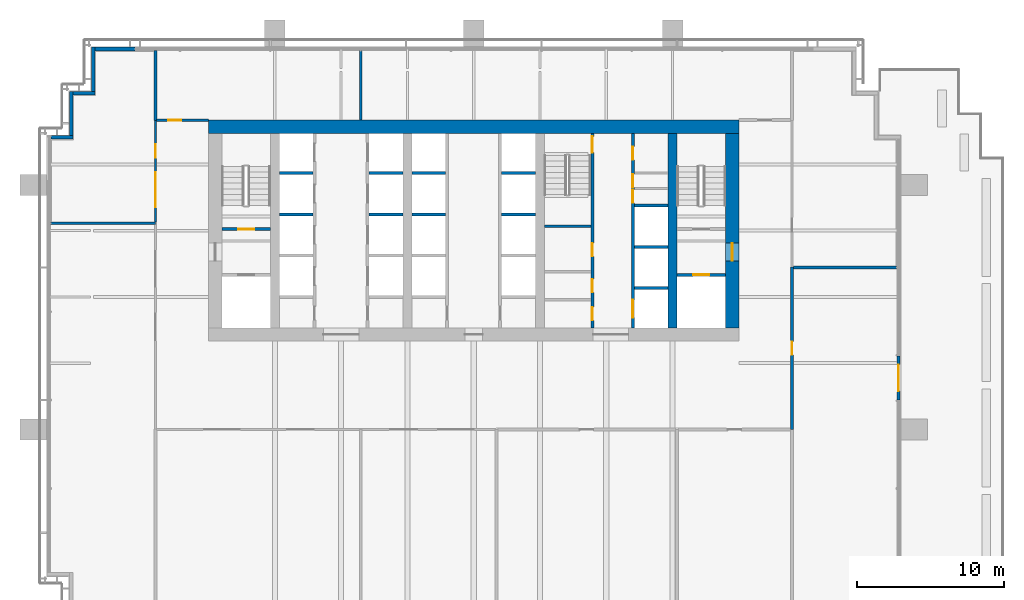
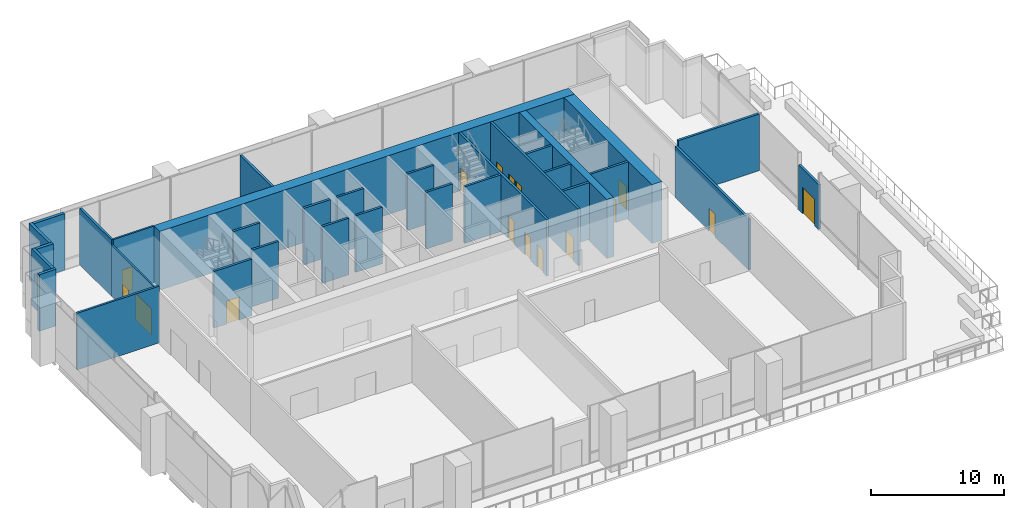
# One storey, part 9 of 14: 32 walls, 15 doors, 1 window, 16 openings.
"""IFC4 building model written with IfcOpenShell, lengths in metres."""

from ifc_helpers import new_model, si_unit, direction, frame, frame_2d, origin, place, context, subcontext, project, spatial, rectangle, extrude, material, layer, layer_set, type_object, element, fill, save


model = new_model("IFC4")

# Units and contexts
model_context = context("Model", 3, precision=1e-05, world=origin(), true_north=direction((0.0, 1.0)))
body_context = subcontext(model_context, "Body", "Model", "MODEL_VIEW")
ifc_project = project(units=[si_unit("LENGTHUNIT", "METRE"), si_unit("AREAUNIT", "SQUARE_METRE"), si_unit("VOLUMEUNIT", "CUBIC_METRE"), si_unit("PLANEANGLEUNIT", "RADIAN"), si_unit("MASSUNIT", "GRAM", prefix="KILO")], contexts=[model_context])

# Site, building, storey
site_placement = place(None, origin())
site = spatial("IfcSite", under=ifc_project, at=site_placement, CompositionType="ELEMENT")
building_placement = place(site_placement, origin())
building = spatial("IfcBuilding", under=site, at=building_placement, Name="Rattan Terrace Tower", CompositionType="ELEMENT")
storey_placement = place(building_placement, frame((0.0, 0.0, 120.699951171875)))
storey = spatial("IfcBuildingStorey", under=building, at=storey_placement, Name="L27", CompositionType="ELEMENT", Elevation=120.699951171875)

# Wall, opening, door
ifc_material_1 = material(Name="Gypsum board partition")
ifc_layer_1 = layer(ifc_material_1, 0.199951171875)
ifc_layer_set_1 = layer_set([ifc_layer_1], Name="Core partition 200")
wall_type_1 = type_object("IfcWallType", Name="Core partition 200", PredefinedType="PARTITIONING", material=ifc_layer_set_1)
wall_1_placement = place(storey_placement, frame((-17.10009765625, 0.10009765625, 0.0), z_axis=(0.0, 0.0, 1.0), x_axis=(1.0, 0.0, 0.0)))
wall_1 = element("IfcWall", 1, at=wall_1_placement, inside=storey, type_object=wall_type_1, Name="Stair enclosure wall", PredefinedType="PARTITIONING", context=body_context, shape_type="SweptSolid", body=[
    extrude(rectangle(XDim=3.300048828125, YDim=0.199951171875, at=frame_2d((1.64990234375, 0.0))), origin(), (0.0, 0.0, 1.0), 5.199951171875),
])
opening_1_placement = place(wall_1_placement, frame((1.10009765625, 0.0, 0.0)))
opening_1 = element("IfcOpeningElement", 2, at=opening_1_placement, cuts=wall_1, Name="Opening L27-D002", PredefinedType="OPENING", context=body_context, shape_type="SweptSolid", body=[
    extrude(rectangle(XDim=1.10009765625, YDim=2.10009765625, at=frame_2d((0.550048828125, 1.050048828125))), frame((0.0, 0.110595703125, 0.0), z_axis=(0.0, -1.0, 0.0), x_axis=(1.0, 0.0, 0.0)), (0.0, 0.0, 1.0), 0.220947265625),
])
ifc_material_2 = material(Name="Hollow-metal fire door leaf")
door_type_1 = type_object("IfcDoorType", Name="Core stair door 1100", OperationType="NOTDEFINED", PredefinedType="DOOR", material=ifc_material_2)
door_1_placement = place(opening_1_placement, origin())
door_1 = element("IfcDoor", 3, at=door_1_placement, inside=storey, type_object=door_type_1, Name="Door L27-D002", OperationType="SINGLE_SWING_RIGHT", OverallHeight=2.10009765625, OverallWidth=1.10009765625, PredefinedType="DOOR", context=body_context, shape_type="SweptSolid", body=[
    extrude(rectangle(XDim=1.10009765625, YDim=2.10009765625, at=frame_2d((0.550048828125, 1.050048828125))), frame((0.0, 0.02490234375, 0.0), z_axis=(0.0, -1.0, 0.0), x_axis=(1.0, 0.0, 0.0)), (0.0, 0.0, 1.0), 0.050048828125),
])
fill(opening_1, door_1)

wall_2_placement = place(storey_placement, frame((13.800048828125, -3.0, 0.0), z_axis=(0.0, 0.0, 1.0), x_axis=(1.0, 0.0, 0.0)))
wall_2 = element("IfcWall", 4, at=wall_2_placement, inside=storey, type_object=wall_type_1, Name="Fire-fighting lobby wall", PredefinedType="PARTITIONING", context=body_context, shape_type="SweptSolid", body=[
    extrude(rectangle(XDim=3.300048828125, YDim=0.199951171875, at=frame_2d((1.64990234375, 0.0))), origin(), (0.0, 0.0, 1.0), 5.199951171875),
])
opening_2_placement = place(wall_2_placement, frame((1.10009765625, 0.0, 0.0)))
opening_2 = element("IfcOpeningElement", 5, at=opening_2_placement, cuts=wall_2, Name="Opening L27-LD-FF2", PredefinedType="OPENING", context=body_context, shape_type="SweptSolid", body=[
    extrude(rectangle(XDim=1.10009765625, YDim=2.10009765625, at=frame_2d((0.550048828125, 1.050048828125))), frame((0.0, 0.110595703125, 0.0), z_axis=(0.0, -1.0, 0.0), x_axis=(1.0, 0.0, 0.0)), (0.0, 0.0, 1.0), 0.220947265625),
])
ifc_material_3 = material(Name="Brushed stainless landing door panel")
door_type_2 = type_object("IfcDoorType", Name="Core lift landing door 1100", OperationType="DOUBLE_DOOR_SLIDING", PredefinedType="DOOR", material=ifc_material_3)
door_2_placement = place(opening_2_placement, origin())
door_2 = element("IfcDoor", 6, at=door_2_placement, inside=storey, type_object=door_type_2, Name="Door L27-LD-FF2", OperationType="DOUBLE_DOOR_SLIDING", OverallHeight=2.10009765625, OverallWidth=1.10009765625, PredefinedType="DOOR", context=body_context, shape_type="SweptSolid", body=[
    extrude(rectangle(XDim=1.10009765625, YDim=2.10009765625, at=frame_2d((0.550048828125, 1.050048828125))), frame((0.0, 0.02490234375, 0.0), z_axis=(0.0, -1.0, 0.0), x_axis=(1.0, 0.0, 0.0)), (0.0, 0.0, 1.0), 0.050048828125),
])
fill(opening_2, door_2)

# Wall, openings, doors
wall_3_placement = place(storey_placement, frame((8.050048828125, -6.60009765625, 0.0), z_axis=(0.0, 0.0, 1.0), x_axis=(0.0, 1.0, 0.0)))
wall_3 = element("IfcWall", 7, at=wall_3_placement, inside=storey, type_object=wall_type_1, Name="Lobby wall west", PredefinedType="PARTITIONING", context=body_context, shape_type="SweptSolid", body=[
    extrude(rectangle(XDim=13.2001953125, YDim=0.199951171875, at=frame_2d((6.60009765625, 0.0))), origin(), (0.0, 0.0, 1.0), 5.199951171875),
])
opening_3_placement = place(wall_3_placement, frame((0.501953125, 0.0, 0.0)))
opening_3 = element("IfcOpeningElement", 8, at=opening_3_placement, cuts=wall_3, Name="Opening L27-D011", PredefinedType="OPENING", context=body_context, shape_type="SweptSolid", body=[
    extrude(rectangle(XDim=0.89990234375, YDim=2.10009765625, at=frame_2d((0.449951171875, 1.050048828125))), frame((0.0, 0.110595703125, 0.0), z_axis=(0.0, -1.0, 0.0), x_axis=(1.0, 0.0, 0.0)), (0.0, 0.0, 1.0), 0.220947265625),
])
opening_4_placement = place(wall_3_placement, frame((2.406005859375, 0.0, 0.0)))
opening_4 = element("IfcOpeningElement", 9, at=opening_4_placement, cuts=wall_3, Name="Opening L27-D012", PredefinedType="OPENING", context=body_context, shape_type="SweptSolid", body=[
    extrude(rectangle(XDim=0.89990234375, YDim=2.10009765625, at=frame_2d((0.449951171875, 1.050048828125))), frame((0.0, 0.110595703125, 0.0), z_axis=(0.0, -1.0, 0.0), x_axis=(1.0, 0.0, 0.0)), (0.0, 0.0, 1.0), 0.220947265625),
])
opening_5_placement = place(wall_3_placement, frame((4.85400390625, 0.0, 0.0)))
opening_5 = element("IfcOpeningElement", 10, at=opening_5_placement, cuts=wall_3, Name="Opening L27-D013", PredefinedType="OPENING", context=body_context, shape_type="SweptSolid", body=[
    extrude(rectangle(XDim=0.89990234375, YDim=2.10009765625, at=frame_2d((0.449951171875, 1.050048828125))), frame((0.0, 0.110595703125, 0.0), z_axis=(0.0, -1.0, 0.0), x_axis=(1.0, 0.0, 0.0)), (0.0, 0.0, 1.0), 0.220947265625),
])
opening_6_placement = place(wall_3_placement, frame((11.89990234375, 0.0, 0.0)))
opening_6 = element("IfcOpeningElement", 11, at=opening_6_placement, cuts=wall_3, Name="Opening L27-D014", PredefinedType="OPENING", context=body_context, shape_type="SweptSolid", body=[
    extrude(rectangle(XDim=1.10009765625, YDim=2.10009765625, at=frame_2d((0.550048828125, 1.050048828125))), frame((0.0, 0.110595703125, 0.0), z_axis=(0.0, -1.0, 0.0), x_axis=(1.0, 0.0, 0.0)), (0.0, 0.0, 1.0), 0.220947265625),
])
door_3_placement = place(opening_6_placement, origin())
door_3 = element("IfcDoor", 12, at=door_3_placement, inside=storey, type_object=door_type_1, Name="Door L27-D014", OperationType="SINGLE_SWING_LEFT", OverallHeight=2.10009765625, OverallWidth=1.10009765625, PredefinedType="DOOR", context=body_context, shape_type="SweptSolid", body=[
    extrude(rectangle(XDim=1.10009765625, YDim=2.10009765625, at=frame_2d((0.550048828125, 1.050048828125))), frame((0.0, 0.02490234375, 0.0), z_axis=(0.0, -1.0, 0.0), x_axis=(1.0, 0.0, 0.0)), (0.0, 0.0, 1.0), 0.050048828125),
])
fill(opening_6, door_3)
ifc_material_4 = material(Name="Hollow-metal fire door leaf")
door_type_3 = type_object("IfcDoorType", Name="Core toilet door 900", OperationType="NOTDEFINED", PredefinedType="DOOR", material=ifc_material_4)
door_4_placement = place(opening_3_placement, origin())
door_4 = element("IfcDoor", 13, at=door_4_placement, inside=storey, type_object=door_type_3, Name="Door L27-D011", OperationType="SINGLE_SWING_RIGHT", OverallHeight=2.10009765625, OverallWidth=0.89990234375, PredefinedType="DOOR", context=body_context, shape_type="SweptSolid", body=[
    extrude(rectangle(XDim=0.89990234375, YDim=2.10009765625, at=frame_2d((0.449951171875, 1.050048828125))), frame((0.0, 0.02490234375, 0.0), z_axis=(0.0, -1.0, 0.0), x_axis=(1.0, 0.0, 0.0)), (0.0, 0.0, 1.0), 0.050048828125),
])
fill(opening_3, door_4)
door_5_placement = place(opening_4_placement, origin())
door_5 = element("IfcDoor", 14, at=door_5_placement, inside=storey, type_object=door_type_3, Name="Door L27-D012", OperationType="SINGLE_SWING_LEFT", OverallHeight=2.10009765625, OverallWidth=0.89990234375, PredefinedType="DOOR", context=body_context, shape_type="SweptSolid", body=[
    extrude(rectangle(XDim=0.89990234375, YDim=2.10009765625, at=frame_2d((0.449951171875, 1.050048828125))), frame((0.0, 0.02490234375, 0.0), z_axis=(0.0, -1.0, 0.0), x_axis=(1.0, 0.0, 0.0)), (0.0, 0.0, 1.0), 0.050048828125),
])
fill(opening_4, door_5)
door_6_placement = place(opening_5_placement, origin())
door_6 = element("IfcDoor", 15, at=door_6_placement, inside=storey, type_object=door_type_3, Name="Door L27-D013", OperationType="SINGLE_SWING_RIGHT", OverallHeight=2.10009765625, OverallWidth=0.89990234375, PredefinedType="DOOR", context=body_context, shape_type="SweptSolid", body=[
    extrude(rectangle(XDim=0.89990234375, YDim=2.10009765625, at=frame_2d((0.449951171875, 1.050048828125))), frame((0.0, 0.02490234375, 0.0), z_axis=(0.0, -1.0, 0.0), x_axis=(1.0, 0.0, 0.0)), (0.0, 0.0, 1.0), 0.050048828125),
])
fill(opening_5, door_6)

# Walls
wall_4_placement = place(storey_placement, frame((4.800048828125, 0.300048828125, 0.0), z_axis=(0.0, 0.0, 1.0), x_axis=(1.0, 0.0, 0.0)))
element("IfcWall", 16, at=wall_4_placement, inside=storey, type_object=wall_type_1, Name="Stair enclosure wall", PredefinedType="PARTITIONING", context=body_context, shape_type="SweptSolid", body=[
    extrude(rectangle(XDim=3.14990234375, YDim=0.199951171875, at=frame_2d((1.574951171875, 0.0))), origin(), (0.0, 0.0, 1.0), 5.199951171875),
])
ifc_material_5 = material(Name="Concrete C60/75", Category="concrete")
ifc_layer_2 = layer(ifc_material_5, 0.89990234375)
ifc_layer_set_2 = layer_set([ifc_layer_2], Name="Core ring wall 900 C60/75")
wall_type_2 = type_object("IfcWallType", Name="Core ring wall 900 C60/75", PredefinedType="SHEAR", material=ifc_layer_set_2)
wall_5_placement = place(storey_placement, frame((-18.0, 7.050048828125, -0.199951171875), z_axis=(0.0, 0.0, 1.0), x_axis=(1.0, 0.0, 0.0)))
element("IfcWall", 17, at=wall_5_placement, inside=storey, type_object=wall_type_2, Name="Rear core wall north", PredefinedType="SHEAR", context=body_context, shape_type="SweptSolid", body=[
    extrude(rectangle(XDim=36.0, YDim=0.89990234375, at=frame_2d((18.0, 0.0))), origin(), (0.0, 0.0, 1.0), 5.39990234375),
])

# Wall, opening, door
wall_6_placement = place(storey_placement, frame((17.550048828125, -6.60009765625, -0.199951171875), z_axis=(0.0, 0.0, 1.0), x_axis=(0.0, 1.0, 0.0)))
wall_6 = element("IfcWall", 18, at=wall_6_placement, inside=storey, type_object=wall_type_2, Name="Rear core wall east", PredefinedType="SHEAR", context=body_context, shape_type="SweptSolid", body=[
    extrude(rectangle(XDim=13.2001953125, YDim=0.89990234375, at=frame_2d((6.60009765625, 0.0))), origin(), (0.0, 0.0, 1.0), 5.39990234375),
])
opening_7_placement = place(wall_6_placement, frame((4.550048828125, 0.0, 0.199951171875)))
opening_7 = element("IfcOpeningElement", 19, at=opening_7_placement, cuts=wall_6, Name="Opening L27-D003", PredefinedType="OPENING", context=body_context, shape_type="SweptSolid", body=[
    extrude(rectangle(XDim=1.199951171875, YDim=2.10009765625, at=frame_2d((0.60009765625, 1.050048828125))), frame((0.0, 0.46044921875, 0.0), z_axis=(0.0, -1.0, 0.0), x_axis=(1.0, 0.0, 0.0)), (0.0, 0.0, 1.0), 0.9208984375),
])
ifc_material_6 = material(Name="Hollow-metal fire door leaf")
door_type_4 = type_object("IfcDoorType", Name="Core fire-fighting lobby door 1200", OperationType="NOTDEFINED", PredefinedType="DOOR", material=ifc_material_6)
door_7_placement = place(opening_7_placement, origin())
door_7 = element("IfcDoor", 20, at=door_7_placement, inside=storey, type_object=door_type_4, Name="Door L27-D003", OperationType="SINGLE_SWING_LEFT", OverallHeight=2.10009765625, OverallWidth=1.199951171875, PredefinedType="DOOR", context=body_context, shape_type="SweptSolid", body=[
    extrude(rectangle(XDim=1.199951171875, YDim=2.10009765625, at=frame_2d((0.60009765625, 1.050048828125))), frame((0.0, 0.02490234375, 0.0), z_axis=(0.0, -1.0, 0.0), x_axis=(1.0, 0.0, 0.0)), (0.0, 0.0, 1.0), 0.050048828125),
])
fill(opening_7, door_7)

# Wall
ifc_material_7 = material(Name="Concrete C60/75", Category="concrete")
ifc_layer_3 = layer(ifc_material_7, 0.60009765625)
ifc_layer_set_3 = layer_set([ifc_layer_3], Name="Core spine wall 600 C60/75")
wall_type_3 = type_object("IfcWallType", Name="Core spine wall 600 C60/75", PredefinedType="SHEAR", material=ifc_layer_set_3)
wall_7_placement = place(storey_placement, frame((13.5, -6.60009765625, -0.199951171875), z_axis=(0.0, 0.0, 1.0), x_axis=(0.0, 1.0, 0.0)))
element("IfcWall", 21, at=wall_7_placement, inside=storey, type_object=wall_type_3, Name="Core spine wall 4", PredefinedType="SHEAR", context=body_context, shape_type="SweptSolid", body=[
    extrude(rectangle(XDim=13.2001953125, YDim=0.60009765625, at=frame_2d((6.60009765625, 0.0))), origin(), (0.0, 0.0, 1.0), 5.39990234375),
])

# Wall, opening, door
ifc_material_8 = material(Name="Insulated aluminium-clad stud wall", Category="aluminium")
ifc_layer_4 = layer(ifc_material_8, 0.199951171875)
ifc_layer_set_4 = layer_set([ifc_layer_4], Name="Facade Door Wall 200")
wall_type_4 = type_object("IfcWallType", Name="Facade Door Wall 200", PredefinedType="SOLIDWALL", material=ifc_layer_set_4)
wall_8_placement = place(storey_placement, frame((28.830078125, -11.5, 0.0), z_axis=(0.0, 0.0, 1.0), x_axis=(0.0, 1.0, 0.0)))
wall_8 = element("IfcWall", 22, at=wall_8_placement, inside=storey, type_object=wall_type_4, Name="Terrace door wall L27-6", PredefinedType="SOLIDWALL", context=body_context, shape_type="SweptSolid", body=[
    extrude(rectangle(XDim=3.0, YDim=0.199951171875, at=frame_2d((1.5, 0.0))), origin(), (0.0, 0.0, 1.0), 4.10009765625),
])
opening_8_placement = place(wall_8_placement, frame((0.60009765625, 0.0, 0.0)))
opening_8 = element("IfcOpeningElement", 23, at=opening_8_placement, cuts=wall_8, Name="Opening L27-D701", PredefinedType="OPENING", context=body_context, shape_type="SweptSolid", body=[
    extrude(rectangle(XDim=1.800048828125, YDim=2.39990234375, at=frame_2d((0.89990234375, 1.199951171875))), frame((0.0, 0.110595703125, 0.0), z_axis=(0.0, -1.0, 0.0), x_axis=(1.0, 0.0, 0.0)), (0.0, 0.0, 1.0), 0.220947265625),
])
ifc_material_9 = material(Name="Aluminium and clear glass", Category="aluminium")
door_type_5 = type_object("IfcDoorType", Name="Facade Terrace Door 1800", OperationType="DOUBLE_DOOR_SINGLE_SWING", PredefinedType="DOOR", material=ifc_material_9)
door_8_placement = place(opening_8_placement, origin())
door_8 = element("IfcDoor", 24, at=door_8_placement, inside=storey, type_object=door_type_5, Name="Terrace door L27-D701", OperationType="DOUBLE_DOOR_SINGLE_SWING", OverallHeight=2.39990234375, OverallWidth=1.800048828125, PredefinedType="DOOR", context=body_context, shape_type="SweptSolid", body=[
    extrude(rectangle(XDim=1.800048828125, YDim=2.39990234375, at=frame_2d((0.89990234375, 1.199951171875))), frame((0.0, 0.02490234375, 0.0), z_axis=(0.0, -1.0, 0.0), x_axis=(1.0, 0.0, 0.0)), (0.0, 0.0, 1.0), 0.050048828125),
])
fill(opening_8, door_8)

# Walls
ifc_material_10 = material(Name="Insulated aluminium-clad stud wall", Category="aluminium")
ifc_layer_5 = layer(ifc_material_10, 0.25)
ifc_layer_set_5 = layer_set([ifc_layer_5], Name="Facade Riser Wall 250")
wall_type_5 = type_object("IfcWallType", Name="Facade Riser Wall 250", PredefinedType="SOLIDWALL", material=ifc_layer_set_5)
wall_9_placement = place(storey_placement, frame((-23.0, 12.330078125, 0.0), z_axis=(0.0, 0.0, 1.0), x_axis=(-1.0, 0.0, 0.0)))
element("IfcWall", 25, at=wall_9_placement, inside=storey, type_object=wall_type_5, Name="Riser wall L27-12", PredefinedType="SOLIDWALL", context=body_context, shape_type="SweptSolid", body=[
    extrude(rectangle(XDim=2.705078125, YDim=0.25, at=frame_2d((1.3525390625, 0.0))), origin(), (0.0, 0.0, 1.0), 5.199951171875),
])
wall_10_placement = place(storey_placement, frame((-25.830078125, 12.455078125, 0.0), z_axis=(0.0, 0.0, 1.0), x_axis=(0.0, -1.0, 0.0)))
element("IfcWall", 26, at=wall_10_placement, inside=storey, type_object=wall_type_5, Name="Riser wall L27-13", PredefinedType="SOLIDWALL", context=body_context, shape_type="SweptSolid", body=[
    extrude(rectangle(XDim=3.0, YDim=0.25, at=frame_2d((1.5, 0.0))), origin(), (0.0, 0.0, 1.0), 5.199951171875),
])
wall_11_placement = place(storey_placement, frame((-25.705078125, 9.330078125, 0.0), z_axis=(0.0, 0.0, 1.0), x_axis=(-1.0, 0.0, 0.0)))
element("IfcWall", 27, at=wall_11_placement, inside=storey, type_object=wall_type_5, Name="Riser wall L27-14", PredefinedType="SOLIDWALL", context=body_context, shape_type="SweptSolid", body=[
    extrude(rectangle(XDim=1.5, YDim=0.25, at=frame_2d((0.75, 0.0))), origin(), (0.0, 0.0, 1.0), 5.199951171875),
])
wall_12_placement = place(storey_placement, frame((-27.330078125, 9.455078125, 0.0), z_axis=(0.0, 0.0, 1.0), x_axis=(0.0, -1.0, 0.0)))
element("IfcWall", 28, at=wall_12_placement, inside=storey, type_object=wall_type_5, Name="Riser wall L27-15", PredefinedType="SOLIDWALL", context=body_context, shape_type="SweptSolid", body=[
    extrude(rectangle(XDim=3.0, YDim=0.25, at=frame_2d((1.5, 0.0))), origin(), (0.0, 0.0, 1.0), 5.199951171875),
])
wall_13_placement = place(storey_placement, frame((-27.205078125, 6.330078125, 0.0), z_axis=(0.0, 0.0, 1.0), x_axis=(-1.0, 0.0, 0.0)))
element("IfcWall", 29, at=wall_13_placement, inside=storey, type_object=wall_type_5, Name="Riser wall L27-16", PredefinedType="SOLIDWALL", context=body_context, shape_type="SweptSolid", body=[
    extrude(rectangle(XDim=1.474853515625, YDim=0.25, at=frame_2d((0.7373046875, 0.0))), origin(), (0.0, 0.0, 1.0), 5.199951171875),
])
ifc_material_11 = material(Name="Double steel stud acoustic partition, gypsum board, mineral wool, fire rated", Category="steel")
ifc_layer_6 = layer(ifc_material_11, 0.179931640625)
ifc_layer_set_6 = layer_set([ifc_layer_6], Name="Floors Acoustic Party Wall 180")
wall_type_6 = type_object("IfcWallType", Name="Floors Acoustic Party Wall 180", PredefinedType="PARTITIONING", material=ifc_layer_set_6)
wall_14_placement = place(storey_placement, frame((-21.60009765625, 0.5, 0.0), z_axis=(0.0, 0.0, 1.0), x_axis=(-1.0, 0.0, 0.0)))
element("IfcWall", 30, at=wall_14_placement, inside=storey, type_object=wall_type_6, Name="pt-L27-011", PredefinedType="PARTITIONING", context=body_context, shape_type="SweptSolid", body=[
    extrude(rectangle(XDim=7.139892578125, YDim=0.179931640625, at=frame_2d((3.56982421875, 0.0))), origin(), (0.0, 0.0, 1.0), 5.199951171875),
])
wall_15_placement = place(storey_placement, frame((-21.60009765625, 12.239990234375, 0.0), z_axis=(0.0, 0.0, 1.0), x_axis=(0.0, -1.0, 0.0)))
element("IfcWall", 31, at=wall_15_placement, inside=storey, type_object=wall_type_6, Name="pt-L27-012", PredefinedType="PARTITIONING", context=body_context, shape_type="SweptSolid", body=[
    extrude(rectangle(XDim=4.760009765625, YDim=0.179931640625, at=frame_2d((2.3798828125, 0.0))), origin(), (0.0, 0.0, 1.0), 5.199951171875),
])

# Wall, opening, door
ifc_material_12 = material(Name="Concrete block wall, plastered", Category="concrete")
ifc_layer_7 = layer(ifc_material_12, 0.199951171875)
ifc_layer_set_7 = layer_set([ifc_layer_7], Name="Floors Plant Wall 200")
wall_type_7 = type_object("IfcWallType", Name="Floors Plant Wall 200", PredefinedType="PARTITIONING", material=ifc_layer_set_7)
wall_16_placement = place(storey_placement, frame((21.60009765625, -2.47998046875, 0.0), z_axis=(0.0, 0.0, 1.0), x_axis=(0.0, -1.0, 0.0)))
wall_16 = element("IfcWall", 32, at=wall_16_placement, inside=storey, type_object=wall_type_7, Name="pt-L27-010", PredefinedType="PARTITIONING", context=body_context, shape_type="SweptSolid", body=[
    extrude(rectangle(XDim=11.02001953125, YDim=0.199951171875, at=frame_2d((5.510009765625, 0.0))), origin(), (0.0, 0.0, 1.0), 4.699951171875),
])
opening_9_placement = place(wall_16_placement, frame((5.06005859375, 0.0, 0.0)))
opening_9 = element("IfcOpeningElement", 33, at=opening_9_placement, cuts=wall_16, Name="Opening L27-D109", PredefinedType="OPENING", context=body_context, shape_type="SweptSolid", body=[
    extrude(rectangle(XDim=0.89990234375, YDim=2.10009765625, at=frame_2d((0.449951171875, 1.050048828125))), frame((0.0, 0.110595703125, 0.0), z_axis=(0.0, -1.0, 0.0), x_axis=(1.0, 0.0, 0.0)), (0.0, 0.0, 1.0), 0.220947265625),
])
ifc_material_13 = material(Name="Steel fire door set", Category="steel")
door_type_6 = type_object("IfcDoorType", Name="Floors Fire Door FD60 900x2100", OperationType="NOTDEFINED", PredefinedType="DOOR", material=ifc_material_13)
door_9_placement = place(opening_9_placement, origin())
door_9 = element("IfcDoor", 34, at=door_9_placement, inside=storey, type_object=door_type_6, Name="d-L27-109", OperationType="SINGLE_SWING_RIGHT", OverallHeight=2.10009765625, OverallWidth=0.89990234375, PredefinedType="DOOR", context=body_context, shape_type="SweptSolid", body=[
    extrude(rectangle(XDim=0.89990234375, YDim=2.10009765625, at=frame_2d((0.449951171875, 1.050048828125))), frame((0.0, 0.02490234375, 0.0), z_axis=(0.0, -1.0, 0.0), x_axis=(1.0, 0.0, 0.0)), (0.0, 0.0, 1.0), 0.050048828125),
])
fill(opening_9, door_9)

# Walls
wall_17_placement = place(storey_placement, frame((-7.6669921875, 12.239990234375, 0.0), z_axis=(0.0, 0.0, 1.0), x_axis=(0.0, -1.0, 0.0)))
element("IfcWall", 35, at=wall_17_placement, inside=storey, type_object=wall_type_7, Name="pt-L27-018", PredefinedType="PARTITIONING", context=body_context, shape_type="SweptSolid", body=[
    extrude(rectangle(XDim=4.739990234375, YDim=0.199951171875, at=frame_2d((2.3701171875, 0.0))), origin(), (0.0, 0.0, 1.0), 5.199951171875),
])
wall_18_placement = place(storey_placement, frame((28.739990234375, -2.5, 0.0), z_axis=(0.0, 0.0, 1.0), x_axis=(-1.0, 0.0, 0.0)))
element("IfcWall", 36, at=wall_18_placement, inside=storey, type_object=wall_type_7, Name="pt-L27-020", PredefinedType="PARTITIONING", context=body_context, shape_type="SweptSolid", body=[
    extrude(rectangle(XDim=7.0400390625, YDim=0.199951171875, at=frame_2d((3.52001953125, 0.0))), origin(), (0.0, 0.0, 1.0), 5.199951171875),
])

# Wall, openings, door, window
ifc_material_14 = material(Name="Gypsum board partition on steel studs, fire rated", Category="steel")
ifc_layer_8 = layer(ifc_material_14, 0.14990234375)
ifc_layer_set_8 = layer_set([ifc_layer_8], Name="Floors Tenancy Wall 150")
wall_type_8 = type_object("IfcWallType", Name="Floors Tenancy Wall 150", PredefinedType="PARTITIONING", material=ifc_layer_set_8)
wall_19_placement = place(storey_placement, frame((-21.60009765625, 0.590087890625, 0.0), z_axis=(0.0, 0.0, 1.0), x_axis=(0.0, 1.0, 0.0)))
wall_19 = element("IfcWall", 37, at=wall_19_placement, inside=storey, type_object=wall_type_8, Name="pt-L27-001", PredefinedType="PARTITIONING", context=body_context, shape_type="SweptSolid", body=[
    extrude(rectangle(XDim=6.889892578125, YDim=0.14990234375, at=frame_2d((3.44482421875, 0.0))), origin(), (0.0, 0.0, 1.0), 4.699951171875),
])
opening_10_placement = place(wall_19_placement, frame((4.366943359375, 0.0, 0.0)))
opening_10 = element("IfcOpeningElement", 38, at=opening_10_placement, cuts=wall_19, Name="Opening L27-D100", PredefinedType="OPENING", context=body_context, shape_type="SweptSolid", body=[
    extrude(rectangle(XDim=0.89990234375, YDim=2.10009765625, at=frame_2d((0.449951171875, 1.050048828125))), frame((0.0, 0.08544921875, 0.0), z_axis=(0.0, -1.0, 0.0), x_axis=(1.0, 0.0, 0.0)), (0.0, 0.0, 1.0), 0.1708984375),
])
opening_11_placement = place(wall_19_placement, frame((0.98388671875, 0.0, 0.0)))
opening_11 = element("IfcOpeningElement", 39, at=opening_11_placement, cuts=wall_19, Name="Opening L27-W100", PredefinedType="OPENING", context=body_context, shape_type="SweptSolid", body=[
    extrude(rectangle(XDim=2.39990234375, YDim=2.39990234375, at=frame_2d((1.199951171875, 1.199951171875))), frame((0.0, 0.08544921875, 0.0), z_axis=(0.0, -1.0, 0.0), x_axis=(1.0, 0.0, 0.0)), (0.0, 0.0, 1.0), 0.1708984375),
])
ifc_material_15 = material(Name="Steel fire door set", Category="steel")
door_type_7 = type_object("IfcDoorType", Name="Floors Fire Door FD30S 900x2100", OperationType="NOTDEFINED", PredefinedType="DOOR", material=ifc_material_15)
door_10_placement = place(opening_10_placement, origin())
door_10 = element("IfcDoor", 40, at=door_10_placement, inside=storey, type_object=door_type_7, Name="d-L27-100", OperationType="SINGLE_SWING_RIGHT", OverallHeight=2.10009765625, OverallWidth=0.89990234375, PredefinedType="DOOR", context=body_context, shape_type="SweptSolid", body=[
    extrude(rectangle(XDim=0.89990234375, YDim=2.10009765625, at=frame_2d((0.449951171875, 1.050048828125))), frame((0.0, 0.02490234375, 0.0), z_axis=(0.0, -1.0, 0.0), x_axis=(1.0, 0.0, 0.0)), (0.0, 0.0, 1.0), 0.050048828125),
])
fill(opening_10, door_10)
ifc_material_16 = material(Name="Glass, clear, fixed in aluminium frame", Category="aluminium")
window_type = type_object("IfcWindowType", Name="Interior Glazed Screen 2400x2400", PartitioningType="SINGLE_PANEL", PredefinedType="WINDOW", material=ifc_material_16)
window_placement = place(opening_11_placement, origin())
window = element("IfcWindow", 41, at=window_placement, inside=storey, type_object=window_type, Name="w-L27-100", OverallHeight=2.39990234375, OverallWidth=2.39990234375, PartitioningType="SINGLE_PANEL", PredefinedType="WINDOW", context=body_context, shape_type="SweptSolid", body=[
    extrude(rectangle(XDim=2.39990234375, YDim=2.39990234375, at=frame_2d((1.199951171875, 1.199951171875))), frame((0.0, 0.030029296875, 0.0), z_axis=(0.0, -1.0, 0.0), x_axis=(1.0, 0.0, 0.0)), (0.0, 0.0, 1.0), 0.06005859375),
])
fill(opening_11, window)

# Wall, opening, door
wall_20_placement = place(storey_placement, frame((-21.52490234375, 7.5, 0.0), z_axis=(0.0, 0.0, 1.0), x_axis=(1.0, 0.0, 0.0)))
wall_20 = element("IfcWall", 42, at=wall_20_placement, inside=storey, type_object=wall_type_8, Name="pt-L27-007", PredefinedType="PARTITIONING", context=body_context, shape_type="SweptSolid", body=[
    extrude(rectangle(XDim=3.52490234375, YDim=0.14990234375, at=frame_2d((1.762451171875, 0.0))), origin(), (0.0, 0.0, 1.0), 5.199951171875),
])
opening_12_placement = place(wall_20_placement, frame((0.781005859375, 0.0, 0.0)))
opening_12 = element("IfcOpeningElement", 43, at=opening_12_placement, cuts=wall_20, Name="Opening L27-D106", PredefinedType="OPENING", context=body_context, shape_type="SweptSolid", body=[
    extrude(rectangle(XDim=0.89990234375, YDim=2.10009765625, at=frame_2d((0.449951171875, 1.050048828125))), frame((0.0, 0.08544921875, 0.0), z_axis=(0.0, -1.0, 0.0), x_axis=(1.0, 0.0, 0.0)), (0.0, 0.0, 1.0), 0.1708984375),
])
door_11_placement = place(opening_12_placement, origin())
door_11 = element("IfcDoor", 44, at=door_11_placement, inside=storey, type_object=door_type_7, Name="d-L27-106", OperationType="SINGLE_SWING_LEFT", OverallHeight=2.10009765625, OverallWidth=0.89990234375, PredefinedType="DOOR", context=body_context, shape_type="SweptSolid", body=[
    extrude(rectangle(XDim=0.89990234375, YDim=2.10009765625, at=frame_2d((0.449951171875, 1.050048828125))), frame((0.0, 0.02490234375, 0.0), z_axis=(0.0, -1.0, 0.0), x_axis=(1.0, 0.0, 0.0)), (0.0, 0.0, 1.0), 0.050048828125),
])
fill(opening_12, door_11)

# Walls
ifc_material_17 = material(Name="Gypsum shaft wall system")
ifc_layer_9 = layer(ifc_material_17, 0.199951171875)
ifc_layer_set_9 = layer_set([ifc_layer_9], Name="Lift shaft wall 200")
wall_type_9 = type_object("IfcWallType", Name="Lift shaft wall 200", PredefinedType="PARTITIONING", material=ifc_layer_set_9)
for number, where, z_axis, x_axis, name in (
    (45, (-13.199951171875, 1.10009765625, 0.0), (0.0, 0.0, 1.0), (1.0, 0.0, 0.0), "Lift shaft wall"),
    (46, (-13.199951171875, 3.89990234375, 0.0), (0.0, 0.0, 1.0), (1.0, 0.0, 0.0), "Lift shaft wall"),
    (47, (-7.10009765625, 1.10009765625, 0.0), (0.0, 0.0, 1.0), (1.0, 0.0, 0.0), "Lift shaft wall"),
    (48, (-7.10009765625, 3.89990234375, 0.0), (0.0, 0.0, 1.0), (1.0, 0.0, 0.0), "Lift shaft wall"),
    (49, (-4.199951171875, 1.10009765625, 0.0), (0.0, 0.0, 1.0), (1.0, 0.0, 0.0), "Lift shaft wall"),
    (50, (-4.199951171875, 3.89990234375, 0.0), (0.0, 0.0, 1.0), (1.0, 0.0, 0.0), "Lift shaft wall"),
    (51, (1.89990234375, 1.10009765625, 0.0), (0.0, 0.0, 1.0), (1.0, 0.0, 0.0), "Lift shaft wall"),
    (52, (1.89990234375, 3.89990234375, 0.0), (0.0, 0.0, 1.0), (1.0, 0.0, 0.0), "Lift shaft wall"),
):
    element("IfcWall", number, at=place(storey_placement, frame(where, z_axis=z_axis, x_axis=x_axis)), inside=storey, type_object=wall_type_9, Name=name, PredefinedType="PARTITIONING", context=body_context, shape_type="SweptSolid", body=[
        extrude(rectangle(XDim=2.300048828125, YDim=0.199951171875, at=frame_2d((1.14990234375, 0.0))), origin(), (0.0, 0.0, 1.0), 5.199951171875),
    ])

# Wall, openings, doors
wall_21_placement = place(storey_placement, frame((10.800048828125, -6.60009765625, 0.0), z_axis=(0.0, 0.0, 1.0), x_axis=(0.0, 1.0, 0.0)))
wall_21 = element("IfcWall", 53, at=wall_21_placement, inside=storey, type_object=wall_type_9, Name="Lift shaft front wall", PredefinedType="PARTITIONING", context=body_context, shape_type="SweptSolid", body=[
    extrude(rectangle(XDim=13.2001953125, YDim=0.199951171875, at=frame_2d((6.60009765625, 0.0))), origin(), (0.0, 0.0, 1.0), 5.199951171875),
])
opening_13_placement = place(wall_21_placement, frame((0.699951171875, 0.0, 0.0)))
opening_13 = element("IfcOpeningElement", 54, at=opening_13_placement, cuts=wall_21, Name="Opening L27-LD-SV1", PredefinedType="OPENING", context=body_context, shape_type="SweptSolid", body=[
    extrude(rectangle(XDim=1.199951171875, YDim=2.10009765625, at=frame_2d((0.60009765625, 1.050048828125))), frame((0.0, 0.110595703125, 0.0), z_axis=(0.0, -1.0, 0.0), x_axis=(1.0, 0.0, 0.0)), (0.0, 0.0, 1.0), 0.220947265625),
])
opening_14_placement = place(wall_21_placement, frame((8.47802734375, 0.0, 0.0)))
opening_14 = element("IfcOpeningElement", 55, at=opening_14_placement, cuts=wall_21, Name="Opening L27-D016", PredefinedType="OPENING", context=body_context, shape_type="SweptSolid", body=[
    extrude(rectangle(XDim=0.89990234375, YDim=2.10009765625, at=frame_2d((0.449951171875, 1.050048828125))), frame((0.0, 0.110595703125, 0.0), z_axis=(0.0, -1.0, 0.0), x_axis=(1.0, 0.0, 0.0)), (0.0, 0.0, 1.0), 0.220947265625),
])
opening_15_placement = place(wall_21_placement, frame((9.533935546875, 0.0, 0.0)))
opening_15 = element("IfcOpeningElement", 56, at=opening_15_placement, cuts=wall_21, Name="Opening L27-D017", PredefinedType="OPENING", context=body_context, shape_type="SweptSolid", body=[
    extrude(rectangle(XDim=0.89990234375, YDim=2.10009765625, at=frame_2d((0.449951171875, 1.050048828125))), frame((0.0, 0.110595703125, 0.0), z_axis=(0.0, -1.0, 0.0), x_axis=(1.0, 0.0, 0.0)), (0.0, 0.0, 1.0), 0.220947265625),
])
opening_16_placement = place(wall_21_placement, frame((11.406005859375, 0.0, 0.0)))
opening_16 = element("IfcOpeningElement", 57, at=opening_16_placement, cuts=wall_21, Name="Opening L27-D018", PredefinedType="OPENING", context=body_context, shape_type="SweptSolid", body=[
    extrude(rectangle(XDim=0.89990234375, YDim=2.10009765625, at=frame_2d((0.449951171875, 1.050048828125))), frame((0.0, 0.110595703125, 0.0), z_axis=(0.0, -1.0, 0.0), x_axis=(1.0, 0.0, 0.0)), (0.0, 0.0, 1.0), 0.220947265625),
])
ifc_material_18 = material(Name="Brushed stainless landing door panel")
door_type_8 = type_object("IfcDoorType", Name="Core lift landing door 1200", OperationType="DOUBLE_DOOR_SLIDING", PredefinedType="DOOR", material=ifc_material_18)
door_12_placement = place(opening_13_placement, origin())
door_12 = element("IfcDoor", 58, at=door_12_placement, inside=storey, type_object=door_type_8, Name="Door L27-LD-SV1", OperationType="DOUBLE_DOOR_SLIDING", OverallHeight=2.10009765625, OverallWidth=1.199951171875, PredefinedType="DOOR", context=body_context, shape_type="SweptSolid", body=[
    extrude(rectangle(XDim=1.199951171875, YDim=2.10009765625, at=frame_2d((0.60009765625, 1.050048828125))), frame((0.0, 0.02490234375, 0.0), z_axis=(0.0, -1.0, 0.0), x_axis=(1.0, 0.0, 0.0)), (0.0, 0.0, 1.0), 0.050048828125),
])
fill(opening_13, door_12)
ifc_material_19 = material(Name="Hollow-metal fire door leaf")
door_type_9 = type_object("IfcDoorType", Name="Core riser door 900", OperationType="NOTDEFINED", PredefinedType="DOOR", material=ifc_material_19)
door_13_placement = place(opening_14_placement, origin())
door_13 = element("IfcDoor", 59, at=door_13_placement, inside=storey, type_object=door_type_9, Name="Door L27-D016", OperationType="SINGLE_SWING_RIGHT", OverallHeight=2.10009765625, OverallWidth=0.89990234375, PredefinedType="DOOR", context=body_context, shape_type="SweptSolid", body=[
    extrude(rectangle(XDim=0.89990234375, YDim=2.10009765625, at=frame_2d((0.449951171875, 1.050048828125))), frame((0.0, 0.02490234375, 0.0), z_axis=(0.0, -1.0, 0.0), x_axis=(1.0, 0.0, 0.0)), (0.0, 0.0, 1.0), 0.050048828125),
])
fill(opening_14, door_13)
door_14_placement = place(opening_15_placement, origin())
door_14 = element("IfcDoor", 60, at=door_14_placement, inside=storey, type_object=door_type_9, Name="Door L27-D017", OperationType="SINGLE_SWING_LEFT", OverallHeight=2.10009765625, OverallWidth=0.89990234375, PredefinedType="DOOR", context=body_context, shape_type="SweptSolid", body=[
    extrude(rectangle(XDim=0.89990234375, YDim=2.10009765625, at=frame_2d((0.449951171875, 1.050048828125))), frame((0.0, 0.02490234375, 0.0), z_axis=(0.0, -1.0, 0.0), x_axis=(1.0, 0.0, 0.0)), (0.0, 0.0, 1.0), 0.050048828125),
])
fill(opening_15, door_14)
ifc_material_20 = material(Name="Hollow-metal fire door leaf")
door_type_10 = type_object("IfcDoorType", Name="Core service room door 900", OperationType="NOTDEFINED", PredefinedType="DOOR", material=ifc_material_20)
door_15_placement = place(opening_16_placement, origin())
door_15 = element("IfcDoor", 61, at=door_15_placement, inside=storey, type_object=door_type_10, Name="Door L27-D018", OperationType="SINGLE_SWING_RIGHT", OverallHeight=2.10009765625, OverallWidth=0.89990234375, PredefinedType="DOOR", context=body_context, shape_type="SweptSolid", body=[
    extrude(rectangle(XDim=0.89990234375, YDim=2.10009765625, at=frame_2d((0.449951171875, 1.050048828125))), frame((0.0, 0.02490234375, 0.0), z_axis=(0.0, -1.0, 0.0), x_axis=(1.0, 0.0, 0.0)), (0.0, 0.0, 1.0), 0.050048828125),
])
fill(opening_16, door_15)

# Walls
for number, where, z_axis, x_axis, name in (
    (62, (10.89990234375, -3.89990234375, 0.0), (0.0, 0.0, 1.0), (1.0, 0.0, 0.0), "Lift shaft wall"),
    (63, (10.89990234375, -1.10009765625, 0.0), (0.0, 0.0, 1.0), (1.0, 0.0, 0.0), "Lift shaft wall"),
    (64, (10.89990234375, 1.699951171875, 0.0), (0.0, 0.0, 1.0), (1.0, 0.0, 0.0), "Lift shaft wall"),
):
    element("IfcWall", number, at=place(storey_placement, frame(where, z_axis=z_axis, x_axis=x_axis)), inside=storey, type_object=wall_type_9, Name=name, PredefinedType="PARTITIONING", context=body_context, shape_type="SweptSolid", body=[
        extrude(rectangle(XDim=2.300048828125, YDim=0.199951171875, at=frame_2d((1.14990234375, 0.0))), origin(), (0.0, 0.0, 1.0), 5.199951171875),
    ])

save(model, "model.ifc")
